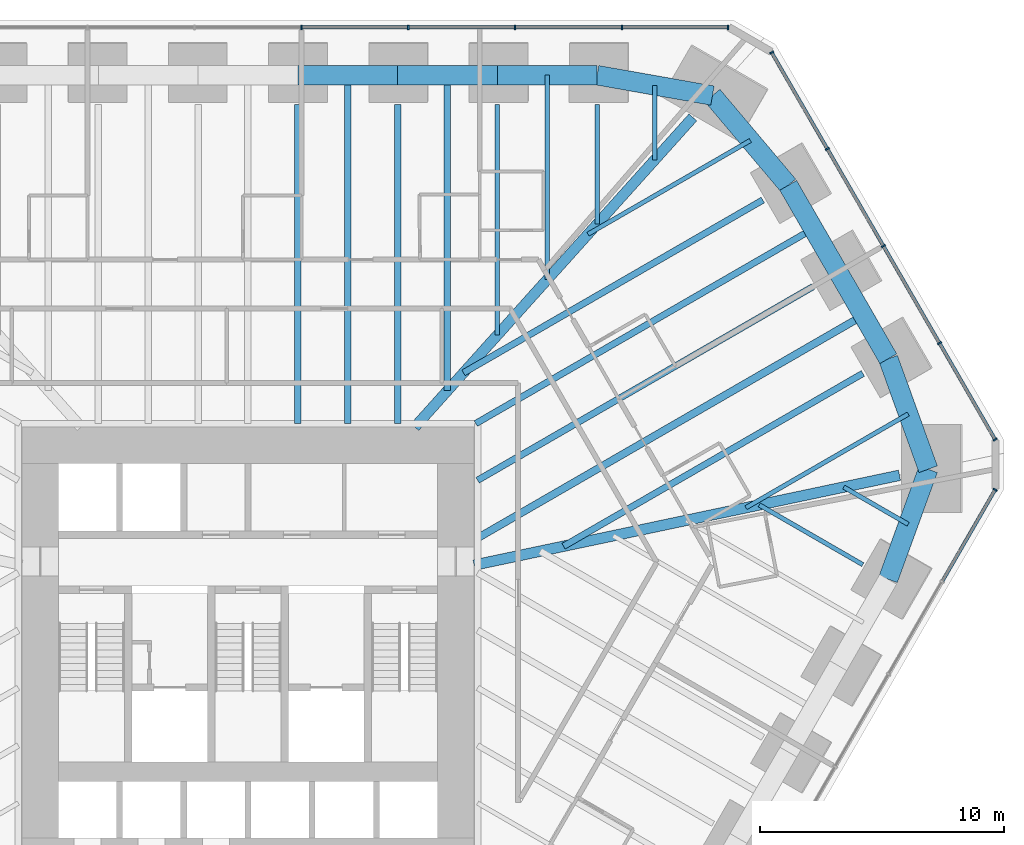
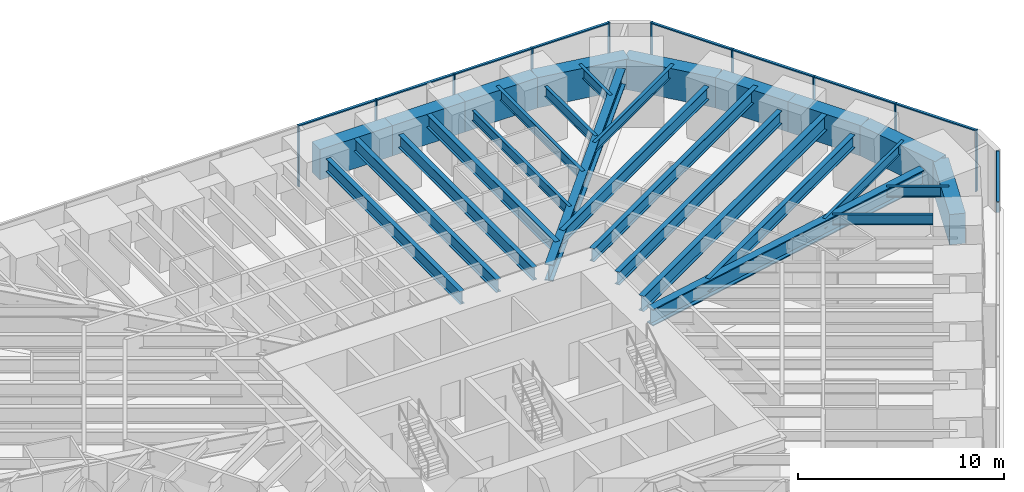
# One storey, part 9 of 17: 28 beams, 20 members, 3 elements without a shape of their own.
"""IFC4 building model written with IfcOpenShell, lengths in metres."""

from ifc_helpers import new_model, si_unit, direction, frame, origin, origin_2d, place, context, subcontext, project, spatial, rectangle, i_section, extrude, material, material_profile, profile_set, type_object, element, aggregate, save


model = new_model("IFC4")

# Units and contexts
model_context = context("Model", 3, precision=1e-05, world=origin(), true_north=direction((0.0, 1.0)))
body_context = subcontext(model_context, "Body", "Model", "MODEL_VIEW")
ifc_project = project(units=[si_unit("LENGTHUNIT", "METRE"), si_unit("AREAUNIT", "SQUARE_METRE"), si_unit("VOLUMEUNIT", "CUBIC_METRE"), si_unit("PLANEANGLEUNIT", "RADIAN"), si_unit("MASSUNIT", "GRAM", prefix="KILO")], contexts=[model_context])

# Site, building, storey
site_placement = place(None, origin())
site = spatial("IfcSite", under=ifc_project, at=site_placement, CompositionType="ELEMENT")
building_placement = place(site_placement, origin())
building = spatial("IfcBuilding", under=site, at=building_placement, Name="Sandreach Pilgrim Tower", CompositionType="ELEMENT")
storey_placement = place(building_placement, frame((0.0, 0.0, 72.39990234375)))
storey = spatial("IfcBuildingStorey", under=building, at=storey_placement, Name="L17", CompositionType="ELEMENT", Elevation=72.39990234375)

# Curtain wall, members
ifc_material_1 = material(Name="Aluminium framed curtain wall", Category="aluminium")
curtain_wall_type = type_object("IfcCurtainWallType", Name="Hostel tower curtain wall", PredefinedType="NOTDEFINED", material=ifc_material_1)
curtain_wall_1_placement = place(storey_placement, origin())
curtain_wall_1 = element("IfcCurtainWall", 1, at=curtain_wall_1_placement, inside=storey, type_object=curtain_wall_type, Name="CW-1 L17 N", PredefinedType="NOTDEFINED")
ifc_material_2 = material(Name="Aluminium extrusion", Category="aluminium")
ifc_material_profile_1 = material_profile(ifc_material_2, rectangle(XDim=0.06494140625, YDim=0.179931640625, at=origin_2d()), Name="CW-1M 65X180")
ifc_profile_set_1 = profile_set([ifc_material_profile_1], Name="Aluminium extrusion")
member_type_1 = type_object("IfcMemberType", Name="CW-1 mullion", PredefinedType="MULLION", material=ifc_profile_set_1)
member_1_placement = place(storey_placement, frame((2.185791015625, 23.94873046875, 0.0), z_axis=(0.0, 0.0, 1.0), x_axis=(1.0, 0.0, 0.0)))
member_1 = element("IfcMember", 2, at=member_1_placement, type_object=member_type_1, Name="CW-1 mullion 6", PredefinedType="MULLION", context=body_context, shape_type="SweptSolid", body=[
    extrude(rectangle(XDim=0.06494140625, YDim=0.179931640625, at=origin_2d()), origin(), (0.0, 0.0, 1.0), 3.64013671875),
])
member_2_placement = place(storey_placement, frame((6.557373046875, 23.94873046875, 0.0), z_axis=(0.0, 0.0, 1.0), x_axis=(1.0, 0.0, 0.0)))
member_2 = element("IfcMember", 3, at=member_2_placement, type_object=member_type_1, Name="CW-1 mullion 7", PredefinedType="MULLION", context=body_context, shape_type="SweptSolid", body=[
    extrude(rectangle(XDim=0.06494140625, YDim=0.179931640625, at=origin_2d()), origin(), (0.0, 0.0, 1.0), 3.64013671875),
])
member_3_placement = place(storey_placement, frame((10.928955078125, 23.94873046875, 0.0), z_axis=(0.0, 0.0, 1.0), x_axis=(1.0, 0.0, 0.0)))
member_3 = element("IfcMember", 4, at=member_3_placement, type_object=member_type_1, Name="CW-1 mullion 8", PredefinedType="MULLION", context=body_context, shape_type="SweptSolid", body=[
    extrude(rectangle(XDim=0.06494140625, YDim=0.179931640625, at=origin_2d()), origin(), (0.0, 0.0, 1.0), 3.64013671875),
])
member_4_placement = place(storey_placement, frame((15.300537109375, 23.94873046875, 0.0), z_axis=(0.0, 0.0, 1.0), x_axis=(1.0, 0.0, 0.0)))
member_4 = element("IfcMember", 5, at=member_4_placement, type_object=member_type_1, Name="CW-1 mullion 9", PredefinedType="MULLION", context=body_context, shape_type="SweptSolid", body=[
    extrude(rectangle(XDim=0.06494140625, YDim=0.179931640625, at=origin_2d()), origin(), (0.0, 0.0, 1.0), 3.64013671875),
])
member_5_placement = place(storey_placement, frame((19.6396484375, 23.94873046875, 0.0), z_axis=(0.0, 0.0, 1.0), x_axis=(1.0, 0.0, 0.0)))
member_5 = element("IfcMember", 6, at=member_5_placement, type_object=member_type_1, Name="CW-1 mullion 10", PredefinedType="MULLION", context=body_context, shape_type="SweptSolid", body=[
    extrude(rectangle(XDim=0.06494140625, YDim=0.179931640625, at=origin_2d()), origin(), (0.0, 0.0, 1.0), 3.64013671875),
])

curtain_wall_2_placement = place(storey_placement, origin())
curtain_wall_2 = element("IfcCurtainWall", 7, at=curtain_wall_2_placement, inside=storey, type_object=curtain_wall_type, Name="CW-1 L17 NE", PredefinedType="NOTDEFINED")
member_6_placement = place(storey_placement, frame((21.42041015625, 22.920654296875, 0.0), z_axis=(0.0, 0.0, 1.0), x_axis=(0.5, -0.866025403784, 0.0)))
member_6 = element("IfcMember", 8, at=member_6_placement, type_object=member_type_1, Name="CW-1 mullion 1", PredefinedType="MULLION", context=body_context, shape_type="SweptSolid", body=[
    extrude(rectangle(XDim=0.06494140625, YDim=0.179931640625, at=origin_2d()), origin(), (0.0, 0.0, 1.0), 3.64013671875),
])
member_7_placement = place(storey_placement, frame((23.697265625, 18.97705078125, 0.0), z_axis=(0.0, 0.0, 1.0), x_axis=(0.5, -0.866025403784, 0.0)))
member_7 = element("IfcMember", 9, at=member_7_placement, type_object=member_type_1, Name="CW-1 mullion 2", PredefinedType="MULLION", context=body_context, shape_type="SweptSolid", body=[
    extrude(rectangle(XDim=0.06494140625, YDim=0.179931640625, at=origin_2d()), origin(), (0.0, 0.0, 1.0), 3.64013671875),
])
member_8_placement = place(storey_placement, frame((25.990234375, 15.00537109375, 0.0), z_axis=(0.0, 0.0, 1.0), x_axis=(0.5, -0.866025403784, 0.0)))
member_8 = element("IfcMember", 10, at=member_8_placement, type_object=member_type_1, Name="CW-1 mullion 3", PredefinedType="MULLION", context=body_context, shape_type="SweptSolid", body=[
    extrude(rectangle(XDim=0.06494140625, YDim=0.179931640625, at=origin_2d()), origin(), (0.0, 0.0, 1.0), 3.64013671875),
])
member_9_placement = place(storey_placement, frame((28.283203125, 11.03369140625, 0.0), z_axis=(0.0, 0.0, 1.0), x_axis=(0.5, -0.866025403784, 0.0)))
member_9 = element("IfcMember", 11, at=member_9_placement, type_object=member_type_1, Name="CW-1 mullion 4", PredefinedType="MULLION", context=body_context, shape_type="SweptSolid", body=[
    extrude(rectangle(XDim=0.06494140625, YDim=0.179931640625, at=origin_2d()), origin(), (0.0, 0.0, 1.0), 3.64013671875),
])
member_10_placement = place(storey_placement, frame((30.56005859375, 7.09033203125, 0.0), z_axis=(0.0, 0.0, 1.0), x_axis=(0.5, -0.866025403784, 0.0)))
member_10 = element("IfcMember", 12, at=member_10_placement, type_object=member_type_1, Name="CW-1 mullion 5", PredefinedType="MULLION", context=body_context, shape_type="SweptSolid", body=[
    extrude(rectangle(XDim=0.06494140625, YDim=0.179931640625, at=origin_2d()), origin(), (0.0, 0.0, 1.0), 3.64013671875),
])

# Curtain wall, member
curtain_wall_3_placement = place(storey_placement, origin())
curtain_wall_3 = element("IfcCurtainWall", 13, at=curtain_wall_3_placement, inside=storey, type_object=curtain_wall_type, Name="CW-1 L17 SE", PredefinedType="NOTDEFINED")
member_11_placement = place(storey_placement, frame((30.56005859375, 5.033935546875, 0.0), z_axis=(0.0, 0.0, 1.0), x_axis=(-0.5, -0.866025403784, 0.0)))
member_11 = element("IfcMember", 14, at=member_11_placement, type_object=member_type_1, Name="CW-1 mullion 1", PredefinedType="MULLION", context=body_context, shape_type="SweptSolid", body=[
    extrude(rectangle(XDim=0.06494140625, YDim=0.179931640625, at=origin_2d()), origin(), (0.0, 0.0, 1.0), 3.64013671875),
])

# Member
ifc_material_3 = material(Name="Aluminium extrusion", Category="aluminium")
ifc_material_profile_2 = material_profile(ifc_material_3, rectangle(XDim=0.139892578125, YDim=0.070068359375, at=origin_2d()), Name="CW-1T 140X70")
ifc_profile_set_2 = profile_set([ifc_material_profile_2], Name="Aluminium extrusion")
member_type_2 = type_object("IfcMemberType", Name="CW-1 transom", PredefinedType="USERDEFINED", material=ifc_profile_set_2)
member_12_placement = place(storey_placement, frame((2.21826171875, 23.94873046875, 3.60498046875), z_axis=(1.0, 0.0, 0.0), x_axis=(0.0, 1.0, 0.0)))
member_12 = element("IfcMember", 15, at=member_12_placement, type_object=member_type_2, Name="CW-1 head transom 6", ObjectType="TRANSOM", PredefinedType="USERDEFINED", context=body_context, shape_type="SweptSolid", body=[
    extrude(rectangle(XDim=0.139892578125, YDim=0.070068359375, at=origin_2d()), origin(), (0.0, 0.0, 1.0), 4.306640625),
])

member_13_placement = place(storey_placement, frame((6.58984375, 23.94873046875, 3.60498046875), z_axis=(1.0, 0.0, 0.0), x_axis=(0.0, 1.0, 0.0)))
member_13 = element("IfcMember", 16, at=member_13_placement, type_object=member_type_2, Name="CW-1 head transom 7", ObjectType="TRANSOM", PredefinedType="USERDEFINED", context=body_context, shape_type="SweptSolid", body=[
    extrude(rectangle(XDim=0.139892578125, YDim=0.070068359375, at=origin_2d()), origin(), (0.0, 0.0, 1.0), 4.306640625),
])

member_14_placement = place(storey_placement, frame((10.96142578125, 23.94873046875, 3.60498046875), z_axis=(1.0, 0.0, 0.0), x_axis=(0.0, 1.0, 0.0)))
member_14 = element("IfcMember", 17, at=member_14_placement, type_object=member_type_2, Name="CW-1 head transom 8", ObjectType="TRANSOM", PredefinedType="USERDEFINED", context=body_context, shape_type="SweptSolid", body=[
    extrude(rectangle(XDim=0.139892578125, YDim=0.070068359375, at=origin_2d()), origin(), (0.0, 0.0, 1.0), 4.306640625),
])

member_15_placement = place(storey_placement, frame((15.3330078125, 23.94873046875, 3.60498046875), z_axis=(1.0, 0.0, 0.0), x_axis=(0.0, 1.0, 0.0)))
member_15 = element("IfcMember", 18, at=member_15_placement, type_object=member_type_2, Name="CW-1 head transom 9", ObjectType="TRANSOM", PredefinedType="USERDEFINED", context=body_context, shape_type="SweptSolid", body=[
    extrude(rectangle(XDim=0.139892578125, YDim=0.070068359375, at=origin_2d()), origin(), (0.0, 0.0, 1.0), 4.274169921875),
])

aggregate(curtain_wall_1, [member_1, member_2, member_3, member_4, member_5, member_12, member_13, member_14, member_15])

member_16_placement = place(storey_placement, frame((21.4365234375, 22.892333984375, 3.60498046875), z_axis=(0.500017500808, -0.866015299452, 0.0), x_axis=(0.866015299452, 0.500017500808, 0.0)))
member_16 = element("IfcMember", 19, at=member_16_placement, type_object=member_type_2, Name="CW-1 head transom 1", ObjectType="TRANSOM", PredefinedType="USERDEFINED", context=body_context, shape_type="SweptSolid", body=[
    extrude(rectangle(XDim=0.139892578125, YDim=0.070068359375, at=origin_2d()), origin(), (0.0, 0.0, 1.0), 4.488525390625),
])

member_17_placement = place(storey_placement, frame((23.71337890625, 18.948974609375, 3.60498046875), z_axis=(0.500001366228, -0.866024614991, 0.0), x_axis=(0.866024614991, 0.500001366228, 0.0)))
member_17 = element("IfcMember", 20, at=member_17_placement, type_object=member_type_2, Name="CW-1 head transom 2", ObjectType="TRANSOM", PredefinedType="USERDEFINED", context=body_context, shape_type="SweptSolid", body=[
    extrude(rectangle(XDim=0.139892578125, YDim=0.070068359375, at=origin_2d()), origin(), (0.0, 0.0, 1.0), 4.52099609375),
])

member_18_placement = place(storey_placement, frame((26.00634765625, 14.977294921875, 3.60498046875), z_axis=(0.500001366228, -0.866024614991, 0.0), x_axis=(0.866024614991, 0.500001366228, 0.0)))
member_18 = element("IfcMember", 21, at=member_18_placement, type_object=member_type_2, Name="CW-1 head transom 3", ObjectType="TRANSOM", PredefinedType="USERDEFINED", context=body_context, shape_type="SweptSolid", body=[
    extrude(rectangle(XDim=0.139892578125, YDim=0.070068359375, at=origin_2d()), origin(), (0.0, 0.0, 1.0), 4.52099609375),
])

member_19_placement = place(storey_placement, frame((28.299560546875, 11.005615234375, 3.60498046875), z_axis=(0.499976706761, -0.866038851724, 0.0), x_axis=(0.866038851724, 0.499976706761, 0.0)))
member_19 = element("IfcMember", 22, at=member_19_placement, type_object=member_type_2, Name="CW-1 head transom 4", ObjectType="TRANSOM", PredefinedType="USERDEFINED", context=body_context, shape_type="SweptSolid", body=[
    extrude(rectangle(XDim=0.139892578125, YDim=0.070068359375, at=origin_2d()), origin(), (0.0, 0.0, 1.0), 4.488525390625),
])

aggregate(curtain_wall_2, [member_6, member_7, member_8, member_9, member_10, member_16, member_17, member_18, member_19])

member_20_placement = place(storey_placement, frame((30.543701171875, 5.005859375, 3.60498046875), z_axis=(-0.499991113271, -0.866030534479, 0.0), x_axis=(0.866030534479, -0.499991113271, 0.0)))
member_20 = element("IfcMember", 23, at=member_20_placement, type_object=member_type_2, Name="CW-1 head transom 1", ObjectType="TRANSOM", PredefinedType="USERDEFINED", context=body_context, shape_type="SweptSolid", body=[
    extrude(rectangle(XDim=0.139892578125, YDim=0.070068359375, at=origin_2d()), origin(), (0.0, 0.0, 1.0), 4.27392578125),
])

aggregate(curtain_wall_3, [member_11, member_20])

# Beams
ifc_material_4 = material(Name="Steel ASTM A992 Grade 50", Category="steel")
ifc_material_profile_3 = material_profile(ifc_material_4, i_section(OverallWidth=0.4267578125, OverallDepth=0.975341796875, WebThickness=0.031005859375, FlangeThickness=0.055908203125, at=origin_2d()), Name="W36X395")
ifc_profile_set_3 = profile_set([ifc_material_profile_3], Name="Steel ASTM A992 Grade 50")
beam_type_1 = type_object("IfcBeamType", Name="Corner girder W36X395", PredefinedType="BEAM", material=ifc_profile_set_3)
beam_1_placement = place(storey_placement, frame((18.19677734375, 20.264892578125, 3.15234375), z_axis=(-0.668128290508, -0.74404609227, 0.0), x_axis=(0.74404609227, -0.668128290508, 0.0)))
element("IfcBeam", 24, at=beam_1_placement, inside=storey, type_object=beam_type_1, Name="BM L17 CG09", PredefinedType="BEAM", context=body_context, shape_type="SweptSolid", body=[
    extrude(i_section(OverallWidth=0.4267578125, OverallDepth=0.975341796875, WebThickness=0.031005859375, FlangeThickness=0.055908203125, at=origin_2d()), origin(), (0.0, 0.0, 1.0), 17.021484375),
])
ifc_material_5 = material(Name="Steel ASTM A992 Grade 50", Category="steel")
ifc_material_profile_4 = material_profile(ifc_material_5, i_section(OverallWidth=0.431884765625, OverallDepth=0.988037109375, WebThickness=0.034423828125, FlangeThickness=0.06201171875, at=origin_2d()), Name="W36X441")
ifc_profile_set_4 = profile_set([ifc_material_profile_4], Name="Steel ASTM A992 Grade 50")
beam_type_2 = type_object("IfcBeamType", Name="Corner girder W36X441", PredefinedType="BEAM", material=ifc_profile_set_4)
beam_2_placement = place(storey_placement, frame((26.6484375, 5.626220703125, 3.14599609375), z_axis=(-0.978430460956, -0.206576458177, 0.0), x_axis=(0.206576458177, -0.978430460956, 0.0)))
element("IfcBeam", 25, at=beam_2_placement, inside=storey, type_object=beam_type_2, Name="BM L17 CG13", PredefinedType="BEAM", context=body_context, shape_type="SweptSolid", body=[
    extrude(i_section(OverallWidth=0.431884765625, OverallDepth=0.988037109375, WebThickness=0.034423828125, FlangeThickness=0.06201171875, at=origin_2d()), origin(), (0.0, 0.0, 1.0), 17.781982421875),
])
ifc_material_6 = material(Name="Steel ASTM A992 Grade 50", Category="steel")
ifc_material_profile_5 = material_profile(ifc_material_6, i_section(OverallWidth=0.1787109375, OverallDepth=0.60205078125, WebThickness=0.010986328125, FlangeThickness=0.014892578125, at=origin_2d()), Name="W24X62")
ifc_profile_set_5 = profile_set([ifc_material_profile_5], Name="Steel ASTM A992 Grade 50")
beam_type_3 = type_object("IfcBeamType", Name="Floor beam W24X62", PredefinedType="BEAM", material=ifc_profile_set_5)
beam_3_placement = place(storey_placement, frame((10.200927734375, 20.79052734375, 3.339111328125), z_axis=(0.0, -1.0, 0.0), x_axis=(1.0, 0.0, 0.0)))
element("IfcBeam", 26, at=beam_3_placement, inside=storey, type_object=beam_type_3, Name="BM L17 F07", PredefinedType="BEAM", context=body_context, shape_type="SweptSolid", body=[
    extrude(i_section(OverallWidth=0.1787109375, OverallDepth=0.60205078125, WebThickness=0.010986328125, FlangeThickness=0.014892578125, at=origin_2d()), origin(), (0.0, 0.0, 1.0), 9.43017578125),
])
for number, where, z_axis, x_axis, name in (
    (27, (14.28125, 20.79052734375, 3.339111328125), (0.0, -1.0, 0.0), (1.0, 0.0, 0.0), "BM L17 F08"),
    (28, (25.14599609375, 1.97265625, 3.339111328125), (-0.866017503598, 0.500013683274, 0.0), (-0.500013683274, -0.866017503598, 0.0), "BM L17 F14"),
):
    element("IfcBeam", number, at=place(storey_placement, frame(where, z_axis=z_axis, x_axis=x_axis)), inside=storey, type_object=beam_type_3, Name=name, PredefinedType="BEAM", context=body_context, shape_type="SweptSolid", body=[
        extrude(i_section(OverallWidth=0.1787109375, OverallDepth=0.60205078125, WebThickness=0.010986328125, FlangeThickness=0.014892578125, at=origin_2d()), origin(), (0.0, 0.0, 1.0), 4.885986328125),
    ])
beam_4_placement = place(storey_placement, frame((12.2412109375, 21.99072265625, 3.339111328125), z_axis=(0.0, -1.0, 0.0), x_axis=(1.0, 0.0, 0.0)))
element("IfcBeam", 29, at=beam_4_placement, inside=storey, type_object=beam_type_3, Name="BM L17 FM07", PredefinedType="BEAM", context=body_context, shape_type="SweptSolid", body=[
    extrude(i_section(OverallWidth=0.1787109375, OverallDepth=0.60205078125, WebThickness=0.010986328125, FlangeThickness=0.014892578125, at=origin_2d()), origin(), (0.0, 0.0, 1.0), 8.358154296875),
])
beam_5_placement = place(storey_placement, frame((16.639892578125, 21.57421875, 3.339111328125), z_axis=(0.0, -1.0, 0.0), x_axis=(1.0, 0.0, 0.0)))
element("IfcBeam", 30, at=beam_5_placement, inside=storey, type_object=beam_type_3, Name="BM L17 FM08", PredefinedType="BEAM", context=body_context, shape_type="SweptSolid", body=[
    extrude(i_section(OverallWidth=0.1787109375, OverallDepth=0.60205078125, WebThickness=0.010986328125, FlangeThickness=0.014892578125, at=origin_2d()), origin(), (0.0, 0.0, 1.0), 3.04296875),
])
for number, where, z_axis, x_axis, name in (
    (31, (20.54736328125, 19.3212890625, 3.339111328125), (-0.866024401789, -0.500001735503, 0.0), (0.500001735503, -0.866024401789, 0.0), "BM L17 FM09"),
    (32, (27.00634765625, 8.1337890625, 3.339111328125), (-0.866024401789, -0.500001735503, 0.0), (0.500001735503, -0.866024401789, 0.0), "BM L17 FM12"),
):
    element("IfcBeam", number, at=place(storey_placement, frame(where, z_axis=z_axis, x_axis=x_axis)), inside=storey, type_object=beam_type_3, Name=name, PredefinedType="BEAM", context=body_context, shape_type="SweptSolid", body=[
        extrude(i_section(OverallWidth=0.1787109375, OverallDepth=0.60205078125, WebThickness=0.010986328125, FlangeThickness=0.014892578125, at=origin_2d()), origin(), (0.0, 0.0, 1.0), 7.66796875),
    ])
beam_6_placement = place(storey_placement, frame((27.00390625, 3.62353515625, 3.339111328125), z_axis=(-0.866042639228, 0.499970146148, 0.0), x_axis=(-0.499970146148, -0.866042639228, 0.0)))
element("IfcBeam", 33, at=beam_6_placement, inside=storey, type_object=beam_type_3, Name="BM L17 FM13", PredefinedType="BEAM", context=body_context, shape_type="SweptSolid", body=[
    extrude(i_section(OverallWidth=0.1787109375, OverallDepth=0.60205078125, WebThickness=0.010986328125, FlangeThickness=0.014892578125, at=origin_2d()), origin(), (0.0, 0.0, 1.0), 3.043212890625),
])
ifc_material_7 = material(Name="Steel ASTM A992 Grade 50", Category="steel")
ifc_material_profile_6 = material_profile(ifc_material_7, i_section(OverallWidth=0.2666015625, OverallDepth=0.761962890625, WebThickness=0.014404296875, FlangeThickness=0.021484375, at=origin_2d()), Name="W30X116")
ifc_profile_set_6 = profile_set([ifc_material_profile_6], Name="Steel ASTM A992 Grade 50")
beam_type_4 = type_object("IfcBeamType", Name="Floor beam W30X116", PredefinedType="BEAM", material=ifc_profile_set_6)
for number, where, z_axis, x_axis, name in (
    (34, (2.040283203125, 20.79052734375, 3.259033203125), (0.0, -1.0, 0.0), (1.0, 0.0, 0.0), "BM L17 F05"),
    (35, (6.12060546875, 20.79052734375, 3.259033203125), (0.0, -1.0, 0.0), (1.0, 0.0, 0.0), "BM L17 F06"),
):
    element("IfcBeam", number, at=place(storey_placement, frame(where, z_axis=z_axis, x_axis=x_axis)), inside=storey, type_object=beam_type_4, Name=name, PredefinedType="BEAM", context=body_context, shape_type="SweptSolid", body=[
        extrude(i_section(OverallWidth=0.2666015625, OverallDepth=0.761962890625, WebThickness=0.014404296875, FlangeThickness=0.021484375, at=origin_2d()), origin(), (0.0, 0.0, 1.0), 13.047119140625),
    ])
for number, where, z_axis, x_axis, name in (
    (36, (21.056884765625, 16.884765625, 3.259033203125), (-0.8660259613, -0.499999034354, 0.0), (0.499999034354, -0.8660259613, 0.0), "BM L17 F10"),
    (37, (25.151123046875, 9.79345703125, 3.259033203125), (-0.8660259613, -0.499999034354, 0.0), (0.499999034354, -0.8660259613, 0.0), "BM L17 F12"),
):
    element("IfcBeam", number, at=place(storey_placement, frame(where, z_axis=z_axis, x_axis=x_axis)), inside=storey, type_object=beam_type_4, Name=name, PredefinedType="BEAM", context=body_context, shape_type="SweptSolid", body=[
        extrude(i_section(OverallWidth=0.2666015625, OverallDepth=0.761962890625, WebThickness=0.014404296875, FlangeThickness=0.021484375, at=origin_2d()), origin(), (0.0, 0.0, 1.0), 14.1357421875),
    ])
beam_7_placement = place(storey_placement, frame((4.080322265625, 21.99072265625, 3.259033203125), z_axis=(0.0, -1.0, 0.0), x_axis=(1.0, 0.0, 0.0)))
element("IfcBeam", 38, at=beam_7_placement, inside=storey, type_object=beam_type_4, Name="BM L17 FM05", PredefinedType="BEAM", context=body_context, shape_type="SweptSolid", body=[
    extrude(i_section(OverallWidth=0.2666015625, OverallDepth=0.761962890625, WebThickness=0.014404296875, FlangeThickness=0.021484375, at=origin_2d()), origin(), (0.0, 0.0, 1.0), 14.247314453125),
])
beam_8_placement = place(storey_placement, frame((8.160888671875, 21.99072265625, 3.259033203125), z_axis=(0.0, -1.0, 0.0), x_axis=(1.0, 0.0, 0.0)))
element("IfcBeam", 39, at=beam_8_placement, inside=storey, type_object=beam_type_4, Name="BM L17 FM06", PredefinedType="BEAM", context=body_context, shape_type="SweptSolid", body=[
    extrude(i_section(OverallWidth=0.2666015625, OverallDepth=0.761962890625, WebThickness=0.014404296875, FlangeThickness=0.021484375, at=origin_2d()), origin(), (0.0, 0.0, 1.0), 12.90234375),
])
ifc_material_8 = material(Name="Steel ASTM A992 Grade 50", Category="steel")
ifc_material_profile_7 = material_profile(ifc_material_8, i_section(OverallWidth=0.2666015625, OverallDepth=0.77978515625, WebThickness=0.0166015625, FlangeThickness=0.030029296875, at=origin_2d()), Name="W30X148")
ifc_profile_set_7 = profile_set([ifc_material_profile_7], Name="Steel ASTM A992 Grade 50")
beam_type_5 = type_object("IfcBeamType", Name="Floor beam W30X148", PredefinedType="BEAM", material=ifc_profile_set_7)
beam_9_placement = place(storey_placement, frame((23.10400390625, 13.339111328125, 3.250244140625), z_axis=(-0.866028166699, -0.499995214461, 0.0), x_axis=(0.499995214461, -0.866028166699, 0.0)))
element("IfcBeam", 40, at=beam_9_placement, inside=storey, type_object=beam_type_5, Name="BM L17 F11", PredefinedType="BEAM", context=body_context, shape_type="SweptSolid", body=[
    extrude(i_section(OverallWidth=0.2666015625, OverallDepth=0.77978515625, WebThickness=0.0166015625, FlangeThickness=0.030029296875, at=origin_2d()), origin(), (0.0, 0.0, 1.0), 15.831787109375),
])
beam_10_placement = place(storey_placement, frame((23.119873046875, 15.7119140625, 3.250244140625), z_axis=(-0.86603150707, -0.49998942865, 0.0), x_axis=(0.49998942865, -0.86603150707, 0.0)))
element("IfcBeam", 41, at=beam_10_placement, inside=storey, type_object=beam_type_5, Name="BM L17 FM10", PredefinedType="BEAM", context=body_context, shape_type="SweptSolid", body=[
    extrude(i_section(OverallWidth=0.2666015625, OverallDepth=0.77978515625, WebThickness=0.0166015625, FlangeThickness=0.030029296875, at=origin_2d()), origin(), (0.0, 0.0, 1.0), 15.937255859375),
])
ifc_material_9 = material(Name="Steel ASTM A992 Grade 50", Category="steel")
ifc_material_profile_8 = material_profile(ifc_material_9, i_section(OverallWidth=0.3046875, OverallDepth=0.914306640625, WebThickness=0.0166015625, FlangeThickness=0.02587890625, at=origin_2d()), Name="W36X160")
ifc_profile_set_8 = profile_set([ifc_material_profile_8], Name="Steel ASTM A992 Grade 50")
beam_type_6 = type_object("IfcBeamType", Name="Floor beam W36X160", PredefinedType="BEAM", material=ifc_profile_set_8)
beam_11_placement = place(storey_placement, frame((25.166748046875, 12.166259765625, 3.182861328125), z_axis=(-0.866027993583, -0.499995514311, 0.0), x_axis=(0.499995514311, -0.866027993583, 0.0)))
element("IfcBeam", 42, at=beam_11_placement, inside=storey, type_object=beam_type_6, Name="BM L17 FM11", PredefinedType="BEAM", context=body_context, shape_type="SweptSolid", body=[
    extrude(i_section(OverallWidth=0.3046875, OverallDepth=0.914306640625, WebThickness=0.0166015625, FlangeThickness=0.02587890625, at=origin_2d()), origin(), (0.0, 0.0, 1.0), 18.213623046875),
])
ifc_material_10 = material(Name="Concrete 10000 psi", Category="concrete")
ifc_material_profile_9 = material_profile(ifc_material_10, rectangle(XDim=0.800048828125, YDim=1.800048828125, at=origin_2d()), Name="RC800X1800")
ifc_profile_set_9 = profile_set([ifc_material_profile_9], Name="Concrete 10000 psi")
beam_type_7 = type_object("IfcBeamType", Name="Spandrel beam RC800X1800", PredefinedType="SPANDREL", material=ifc_profile_set_9)
for number, where, z_axis, x_axis, name in (
    (43, (2.040283203125, 21.99072265625, 2.739990234375), (1.0, 0.0, 0.0), (0.0, 1.0, 0.0), "BM L17 SP05"),
    (44, (6.12060546875, 21.99072265625, 2.739990234375), (1.0, 0.0, 0.0), (0.0, 1.0, 0.0), "BM L17 SP06"),
    (45, (10.200927734375, 21.99072265625, 2.739990234375), (1.0, 0.0, 0.0), (0.0, 1.0, 0.0), "BM L17 SP07"),
):
    element("IfcBeam", number, at=place(storey_placement, frame(where, z_axis=z_axis, x_axis=x_axis)), inside=storey, type_object=beam_type_7, Name=name, PredefinedType="SPANDREL", context=body_context, shape_type="SweptSolid", body=[
        extrude(rectangle(XDim=0.800048828125, YDim=1.800048828125, at=origin_2d()), origin(), (0.0, 0.0, 1.0), 4.080322265625),
    ])
beam_12_placement = place(storey_placement, frame((14.28125, 21.99072265625, 2.739990234375), z_axis=(0.98476405558, -0.173895816046, 0.0), x_axis=(0.173895816046, 0.98476405558, 0.0)))
element("IfcBeam", 46, at=beam_12_placement, inside=storey, type_object=beam_type_7, Name="BM L17 SP08", PredefinedType="SPANDREL", context=body_context, shape_type="SweptSolid", body=[
    extrude(rectangle(XDim=0.800048828125, YDim=1.800048828125, at=origin_2d()), origin(), (0.0, 0.0, 1.0), 4.790283203125),
])
beam_13_placement = place(storey_placement, frame((18.99853515625, 21.15771484375, 2.739990234375), z_axis=(0.644711385494, -0.76442607845, 0.0), x_axis=(0.76442607845, 0.644711385494, 0.0)))
element("IfcBeam", 47, at=beam_13_placement, inside=storey, type_object=beam_type_7, Name="BM L17 SP09", PredefinedType="SPANDREL", context=body_context, shape_type="SweptSolid", body=[
    extrude(rectangle(XDim=0.800048828125, YDim=1.800048828125, at=origin_2d()), origin(), (0.0, 0.0, 1.0), 4.8046875),
])
for number, where, z_axis, x_axis, name in (
    (48, (22.09619140625, 17.48486328125, 2.739990234375), (0.500006352507, -0.866021736132, 0.0), (0.866021736132, 0.500006352507, 0.0), "BM L17 SP10"),
    (49, (24.143310546875, 13.939208984375, 2.739990234375), (0.500006352507, -0.866021736132, 0.0), (0.866021736132, 0.500006352507, 0.0), "BM L17 SP11"),
):
    element("IfcBeam", number, at=place(storey_placement, frame(where, z_axis=z_axis, x_axis=x_axis)), inside=storey, type_object=beam_type_7, Name=name, PredefinedType="SPANDREL", context=body_context, shape_type="SweptSolid", body=[
        extrude(rectangle(XDim=0.800048828125, YDim=1.800048828125, at=origin_2d()), origin(), (0.0, 0.0, 1.0), 4.09423828125),
    ])
beam_14_placement = place(storey_placement, frame((26.1904296875, 10.3935546875, 2.739990234375), z_axis=(0.339665689491, -0.94054623458, 0.0), x_axis=(0.94054623458, 0.339665689491, 0.0)))
element("IfcBeam", 50, at=beam_14_placement, inside=storey, type_object=beam_type_7, Name="BM L17 SP12", PredefinedType="SPANDREL", context=body_context, shape_type="SweptSolid", body=[
    extrude(rectangle(XDim=0.800048828125, YDim=1.800048828125, at=origin_2d()), origin(), (0.0, 0.0, 1.0), 4.804931640625),
])
beam_15_placement = place(storey_placement, frame((27.822509765625, 5.874267578125, 2.739990234375), z_axis=(-0.341845369987, -0.939756214674, 0.0), x_axis=(0.939756214674, -0.341845369987, 0.0)))
element("IfcBeam", 51, at=beam_15_placement, inside=storey, type_object=beam_type_7, Name="BM L17 SP13", PredefinedType="SPANDREL", context=body_context, shape_type="SweptSolid", body=[
    extrude(rectangle(XDim=0.800048828125, YDim=1.800048828125, at=origin_2d()), origin(), (0.0, 0.0, 1.0), 4.7900390625),
])

save(model, "model.ifc")
